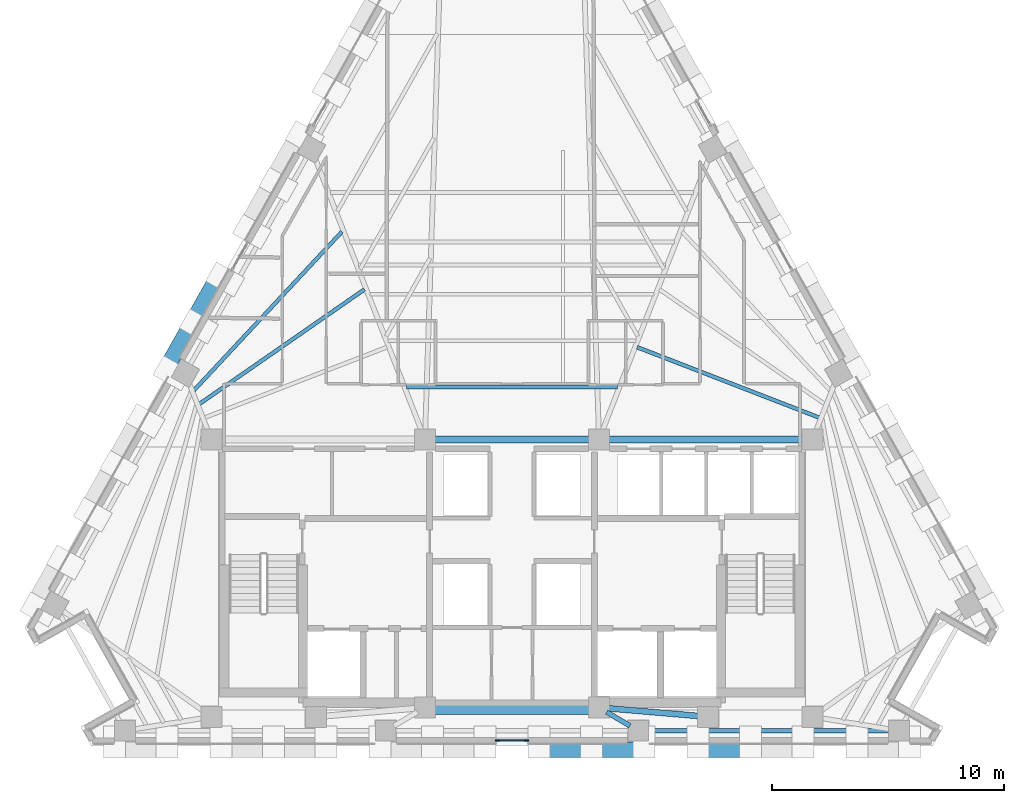
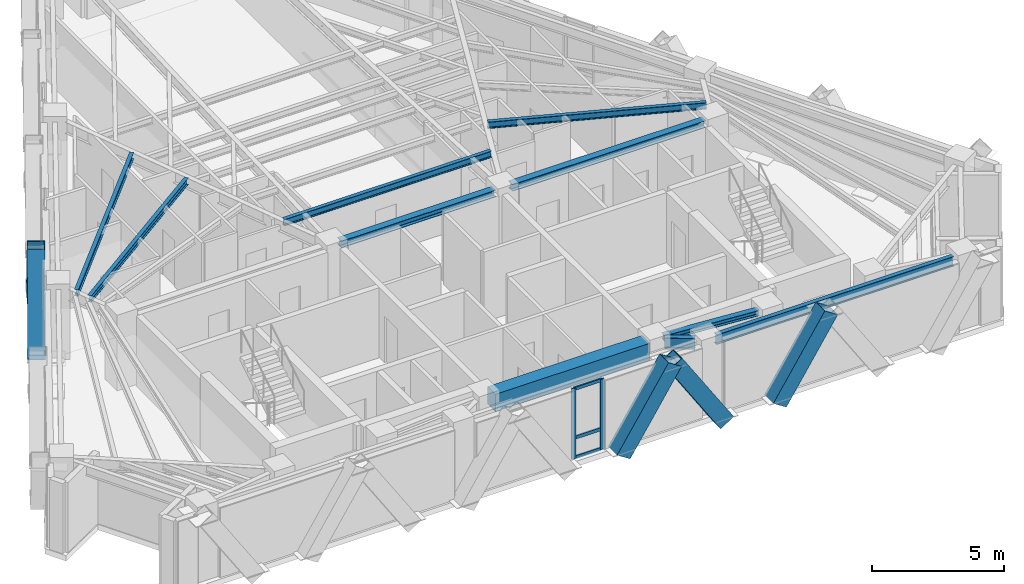
# One storey, part 2 of 12: 10 beams, 10 members, 1 element without a shape of its own.
"""IFC4 building model written with IfcOpenShell, lengths in metres."""

import ifcopenshell
import ifcopenshell.guid

model = None  # the IFC model being written
_history = None  # IfcOwnerHistory: only IFC2X3 demands one
_inside = {}  # id of a spatial element -> (the spatial element, [elements in it])
_under = {}  # id of a project, library or spatial element -> (it, [spatial elements below it])
_declared = {}  # id of a project -> (the project, [libraries it declares])
_typed = {}  # id of a type object -> (the type object, [elements of that type])
_made_of = {}  # id of a material, layer set ... -> (it, [elements and type objects made of it])


def new_model(schema):
    """Start an empty IFC model of exactly this schema.

    Asked for "IFC4X3", IfcOpenShell would pick the latest addendum, in which some entities
    have other attributes; the version numbers below select the first issue.
    IFC2X3 requires an IfcOwnerHistory on every rooted entity: one is made here for all.
    """
    global model, _history
    if schema == "IFC4X3":
        model = ifcopenshell.file(schema_version=(4, 3, 0, 0))
    else:
        model = ifcopenshell.file(schema=schema)
    _inside.clear()
    _under.clear()
    _declared.clear()
    _typed.clear()
    _made_of.clear()
    _history = None
    if model.schema == "IFC2X3":
        org = make("IfcOrganization", Name="unknown")
        user = make(
            "IfcPersonAndOrganization",
            ThePerson=make("IfcPerson", FamilyName="unknown"),
            TheOrganization=org,
        )
        app = make(
            "IfcApplication",
            ApplicationDeveloper=org,
            Version="unknown",
            ApplicationFullName="unknown",
            ApplicationIdentifier="unknown",
        )
        _history = make(
            "IfcOwnerHistory",
            OwningUser=user,
            OwningApplication=app,
            ChangeAction="ADDED",
            CreationDate=0,
        )
    return model


def make(cls, **values):
    """One entity of the class cls with the attributes given. An attribute that is None is left unset."""
    return model.create_entity(
        cls, **{name: value for name, value in values.items() if value is not None}
    )


def rooted(cls, **values):
    """An entity with a GlobalId (a new one), such as an element, a storey or a relation."""
    return make(cls, GlobalId=ifcopenshell.guid.new(), OwnerHistory=_history, **values)


def si_unit(unit_type, name, prefix=None):
    """IfcSIUnit, for example si_unit("LENGTHUNIT", "METRE", prefix="MILLI")."""
    return make("IfcSIUnit", UnitType=unit_type, Prefix=prefix, Name=name)


def assignment(units):
    """IfcUnitAssignment: the units of a project."""
    return None if units is None else make("IfcUnitAssignment", Units=units)


def point(xyz):
    """IfcCartesianPoint."""
    return None if xyz is None else make("IfcCartesianPoint", Coordinates=xyz)


def direction(xyz):
    """IfcDirection."""
    return None if xyz is None else make("IfcDirection", DirectionRatios=xyz)


def frame(location, z_axis=None, x_axis=None):
    """IfcAxis2Placement3D, a coordinate frame: its origin and axes. An axis left out is left unset."""
    return make(
        "IfcAxis2Placement3D",
        Location=point(location),
        Axis=direction(z_axis),
        RefDirection=direction(x_axis),
    )


def frame_2d(location, x_axis=None):
    """IfcAxis2Placement2D, a coordinate frame in the plane: its origin and x axis."""
    return make(
        "IfcAxis2Placement2D", Location=point(location), RefDirection=direction(x_axis)
    )


def origin():
    """The frame at (0, 0, 0) with its axes left unset."""
    return frame((0.0, 0.0, 0.0))


def origin_2d():
    """The frame at (0, 0) in the plane with its x axis left unset."""
    return frame_2d((0.0, 0.0))


def place(relative_to, where):
    """IfcLocalPlacement: puts the frame where relative to a parent placement (None: the world)."""
    return make(
        "IfcLocalPlacement", PlacementRelTo=relative_to, RelativePlacement=where
    )


def context(
    kind, dimensions, precision=None, world=None, true_north=None, identifier=None
):
    """IfcGeometricRepresentationContext, for example the 3D "Model" context."""
    return make(
        "IfcGeometricRepresentationContext",
        ContextIdentifier=identifier,
        ContextType=kind,
        CoordinateSpaceDimension=dimensions,
        Precision=precision,
        WorldCoordinateSystem=world,
        TrueNorth=true_north,
    )


def subcontext(parent, identifier, kind, view, scale=None):
    """IfcGeometricRepresentationSubContext, for example "Body" below "Model"."""
    return make(
        "IfcGeometricRepresentationSubContext",
        ContextIdentifier=identifier,
        ContextType=kind,
        ParentContext=parent,
        TargetScale=scale,
        TargetView=view,
    )


def project(units=None, contexts=None):
    """IfcProject with its units and contexts."""
    return rooted(
        "IfcProject",
        Name="project",
        RepresentationContexts=contexts,
        UnitsInContext=assignment(units),
    )


def spatial(cls, under=None, at=None, **own):
    """A site, building, storey or space (cls), placed at a placement, below another one or the project."""
    s = rooted(cls, ObjectPlacement=at, **own)
    if under is not None:
        _under.setdefault(under.id(), (under, []))[1].append(s)
    return s


def profile(cls, at=None, kind="AREA", **sizes):
    """A parametric profile (cls). Its sizes go by their IFC names, for example OverallWidth=200.0."""
    return make(cls, ProfileType=kind, Position=at, **sizes)


def rectangle(**sizes):
    """IfcRectangleProfileDef."""
    return profile("IfcRectangleProfileDef", **sizes)


def hollow_rectangle(**sizes):
    """IfcRectangleHollowProfileDef."""
    return profile("IfcRectangleHollowProfileDef", **sizes)


def i_section(**sizes):
    """IfcIShapeProfileDef."""
    return profile("IfcIShapeProfileDef", **sizes)


def extrude(swept, where, along, depth):
    """IfcExtrudedAreaSolid: the profile swept, set in the frame where, extruded along a direction by depth."""
    return make(
        "IfcExtrudedAreaSolid",
        SweptArea=swept,
        Position=where,
        ExtrudedDirection=direction(along),
        Depth=depth,
    )


def shape(context_of_items, identifier, shape_type, items):
    """IfcShapeRepresentation: the items that make up one representation, for example the "Body"."""
    return make(
        "IfcShapeRepresentation",
        ContextOfItems=context_of_items,
        RepresentationIdentifier=identifier,
        RepresentationType=shape_type,
        Items=items,
    )


def material(Name=None, Category=None):
    """IfcMaterial."""
    return make("IfcMaterial", Name=Name, Category=Category)


def material_profile(
    of_material, cross_section, Name=None, Category=None, Priority=None
):
    """IfcMaterialProfile: a cross section and its material."""
    return make(
        "IfcMaterialProfile",
        Name=Name,
        Material=of_material,
        Profile=cross_section,
        Priority=Priority,
        Category=Category,
    )


def profile_set(profiles, Name=None, composite=None):
    """IfcMaterialProfileSet."""
    return make(
        "IfcMaterialProfileSet",
        Name=Name,
        MaterialProfiles=profiles,
        CompositeProfile=composite,
    )


def made_of(thing, what):
    """Note that an element or type object is made of a material, layer set ...; save() writes the relation."""
    if what is not None:
        _made_of.setdefault(what.id(), (what, []))[1].append(thing)
    return thing


def type_object(cls, material=None, **own):
    """A type object (cls), such as IfcWallType, which elements share."""
    return made_of(rooted(cls, **own), material)


def element(
    cls,
    number,
    at=None,
    inside=None,
    cuts=None,
    type_object=None,
    material=None,
    context=None,
    identifier="Body",
    shape_type=None,
    held_by="IfcProductDefinitionShape",
    body=None,
    shapes=None,
    **own,
):
    """One element of the class cls, such as IfcWall. Its Tag is "e" and its number.

    at: its placement. inside: the storey or other place that contains it. cuts: it is an
    opening in that element (IfcRelVoidsElement). A single representation is given by context,
    identifier, shape_type and body (its items); several are given by shapes. held_by: the class
    of the entity that holds the representations. save() writes the other relations.
    """
    e = rooted(cls, Tag="e%d" % number, ObjectPlacement=at, **own)
    if body is not None:
        shapes = [shape(context, identifier, shape_type, body)]
    if shapes is not None:
        e.Representation = make(held_by, Representations=shapes)
    if inside is not None:
        _inside.setdefault(inside.id(), (inside, []))[1].append(e)
    if cuts is not None:
        rooted(
            "IfcRelVoidsElement", RelatingBuildingElement=cuts, RelatedOpeningElement=e
        )
    if type_object is not None:
        _typed.setdefault(type_object.id(), (type_object, []))[1].append(e)
    return made_of(e, material)


def aggregate(whole, parts):
    """IfcRelAggregates: a whole, such as a stair, and the parts it consists of."""
    return rooted("IfcRelAggregates", RelatingObject=whole, RelatedObjects=parts)


def save(model, path):
    """Write the relations noted so far, then the file.

    IfcRelAggregates (storeys below a building ...), IfcRelContainedInSpatialStructure (elements
    in a storey), IfcRelDefinesByType, IfcRelAssociatesMaterial and IfcRelDeclares: one each for
    every whole, place, type object, material and project.
    """
    for whole, parts in _under.values():
        aggregate(whole, parts)
    for where, things in _inside.values():
        rooted(
            "IfcRelContainedInSpatialStructure",
            RelatedElements=things,
            RelatingStructure=where,
        )
    for kind, things in _typed.values():
        rooted("IfcRelDefinesByType", RelatedObjects=things, RelatingType=kind)
    for what, things in _made_of.values():
        rooted("IfcRelAssociatesMaterial", RelatedObjects=things, RelatingMaterial=what)
    for by, libraries in _declared.values():
        rooted("IfcRelDeclares", RelatingContext=by, RelatedDefinitions=libraries)
    model.write(path)


model = new_model("IFC4")

# Units and contexts
model_context = context("Model", 3, precision=1e-05, world=origin(), true_north=direction((0.0, 1.0)))
body_context = subcontext(model_context, "Body", "Model", "MODEL_VIEW")
ifc_project = project(units=[si_unit("LENGTHUNIT", "METRE"), si_unit("AREAUNIT", "SQUARE_METRE"), si_unit("VOLUMEUNIT", "CUBIC_METRE"), si_unit("PLANEANGLEUNIT", "RADIAN"), si_unit("MASSUNIT", "GRAM", prefix="KILO")], contexts=[model_context])

# Site, building, storey
site_placement = place(None, origin())
site = spatial("IfcSite", under=ifc_project, at=site_placement, CompositionType="ELEMENT")
building_placement = place(site_placement, origin())
building = spatial("IfcBuilding", under=site, at=building_placement, Name="Quenlor Broadcast Tower", CompositionType="ELEMENT")
storey_placement = place(building_placement, frame((0.0, 0.0, 186.89990234375)))
storey = spatial("IfcBuildingStorey", under=building, at=storey_placement, Name="L51", CompositionType="ELEMENT", Elevation=186.89990234375)

# Curtain wall, members
ifc_material_1 = material(Name="Architectural Terracotta and Low-E Glazing", Category="masonry")
curtain_wall_type = type_object("IfcCurtainWallType", Name="Unitised Terracotta Curtain Wall System Z4", PredefinedType="NOTDEFINED", material=ifc_material_1)
curtain_wall_placement = place(storey_placement, origin())
curtain_wall = element("IfcCurtainWall", 1, at=curtain_wall_placement, inside=storey, type_object=curtain_wall_type, Name="L51 Curtain Wall CW4 (L51-S-G1)", PredefinedType="NOTDEFINED")
ifc_material_2 = material(Name="Aluminium 6063-T6", Category="aluminium")
ifc_material_profile_1 = material_profile(ifc_material_2, rectangle(XDim=0.068115234375, YDim=0.179931640625, at=origin_2d()))
ifc_profile_set_1 = profile_set([ifc_material_profile_1], Name="Aluminium 6063-T6 MULL68x180")
member_type_1 = type_object("IfcMemberType", Name="CW4 Aluminium Mullion MULL_CW4", PredefinedType="MULLION", material=ifc_profile_set_1)
member_1_placement = place(storey_placement, frame((0.62841796875, -17.77490234375, 0.0), z_axis=(0.0, 0.0, 1.0), x_axis=(0.0, -1.0, 0.0)))
member_1 = element("IfcMember", 2, at=member_1_placement, type_object=member_type_1, Name="CW4 mullion 1", PredefinedType="MULLION", context=body_context, shape_type="SweptSolid", body=[
    extrude(rectangle(XDim=0.068115234375, YDim=0.179931640625, at=origin_2d()), origin(), (0.0, 0.0, 1.0), 3.25),
])
member_2_placement = place(storey_placement, frame((-0.62841796875, -17.77490234375, 0.0), z_axis=(0.0, 0.0, 1.0), x_axis=(0.0, -1.0, 0.0)))
member_2 = element("IfcMember", 3, at=member_2_placement, type_object=member_type_1, Name="CW4 mullion 2", PredefinedType="MULLION", context=body_context, shape_type="SweptSolid", body=[
    extrude(rectangle(XDim=0.068115234375, YDim=0.179931640625, at=origin_2d()), origin(), (0.0, 0.0, 1.0), 3.25),
])
ifc_material_3 = material(Name="Aluminium 6063-T6", Category="aluminium")
ifc_material_profile_2 = material_profile(ifc_material_3, rectangle(XDim=0.068115234375, YDim=0.14990234375, at=origin_2d()))
ifc_profile_set_2 = profile_set([ifc_material_profile_2], Name="Aluminium 6063-T6 TRAN68x150")
member_type_2 = type_object("IfcMemberType", Name="CW4 Aluminium Transom TRAN_CW4", PredefinedType="USERDEFINED", material=ifc_profile_set_2)
member_3_placement = place(storey_placement, frame((0.59423828125, -17.77490234375, 0.0341796875), z_axis=(-1.0, 0.0, 0.0), x_axis=(0.0, -1.0, 0.0)))
member_3 = element("IfcMember", 4, at=member_3_placement, type_object=member_type_2, Name="CW4 transom 1.1", ObjectType="TRANSOM", PredefinedType="USERDEFINED", context=body_context, shape_type="SweptSolid", body=[
    extrude(rectangle(XDim=0.068115234375, YDim=0.14990234375, at=origin_2d()), origin(), (0.0, 0.0, 1.0), 1.1884765625),
])
member_4_placement = place(storey_placement, frame((0.59423828125, -17.77490234375, 0.9501953125), z_axis=(-1.0, 0.0, 0.0), x_axis=(0.0, -1.0, 0.0)))
member_4 = element("IfcMember", 5, at=member_4_placement, type_object=member_type_2, Name="CW4 transom 1.2", ObjectType="TRANSOM", PredefinedType="USERDEFINED", context=body_context, shape_type="SweptSolid", body=[
    extrude(rectangle(XDim=0.068115234375, YDim=0.14990234375, at=origin_2d()), origin(), (0.0, 0.0, 1.0), 1.1884765625),
])
member_5_placement = place(storey_placement, frame((0.59423828125, -17.77490234375, 3.216064453125), z_axis=(-1.0, 0.0, 0.0), x_axis=(0.0, -1.0, 0.0)))
member_5 = element("IfcMember", 6, at=member_5_placement, type_object=member_type_2, Name="CW4 transom 1.3", ObjectType="TRANSOM", PredefinedType="USERDEFINED", context=body_context, shape_type="SweptSolid", body=[
    extrude(rectangle(XDim=0.068115234375, YDim=0.14990234375, at=origin_2d()), origin(), (0.0, 0.0, 1.0), 1.1884765625),
])
aggregate(curtain_wall, [member_1, member_2, member_3, member_4, member_5])

# Beams
ifc_material_4 = material(Name="Concrete C50/60", Category="concrete")
ifc_material_profile_3 = material_profile(ifc_material_4, rectangle(XDim=0.60009765625, YDim=0.800048828125, at=origin_2d()))
ifc_profile_set_3 = profile_set([ifc_material_profile_3], Name="Concrete C50/60 RCB600x800")
beam_type_1 = type_object("IfcBeamType", Name="Core Coupling Beam Concrete C50/60 600x800", PredefinedType="BEAM", material=ifc_profile_set_3)
beam_1_placement = place(storey_placement, frame((-3.389892578125, -16.35009765625, 2.85009765625), z_axis=(1.0, 0.0, 0.0), x_axis=(0.0, 1.0, 0.0)))
element("IfcBeam", 7, at=beam_1_placement, inside=storey, type_object=beam_type_1, Name="L51 Core Coupling Beam 6", PredefinedType="BEAM", context=body_context, shape_type="SweptSolid", body=[
    extrude(rectangle(XDim=0.60009765625, YDim=0.800048828125, at=origin_2d()), origin(), (0.0, 0.0, 1.0), 6.77978515625),
])
ifc_material_5 = material(Name="Steel S355", Category="steel")
ifc_material_profile_4 = material_profile(ifc_material_5, i_section(OverallWidth=0.304931640625, OverallDepth=0.30810546875, WebThickness=0.010009765625, FlangeThickness=0.015380859375, FilletRadius=0.0166015625, at=origin_2d()))
ifc_profile_set_4 = profile_set([ifc_material_profile_4], Name="Steel S355 310UC96.8")
beam_type_2 = type_object("IfcBeamType", Name="Core Header Beam Steel S355 310UC96.8", PredefinedType="BEAM", material=ifc_profile_set_4)
beam_2_placement = place(storey_placement, frame((-3.389892578125, -4.800048828125, 3.09619140625), z_axis=(1.0, 0.0, 0.0), x_axis=(0.0, 1.0, 0.0)))
element("IfcBeam", 8, at=beam_2_placement, inside=storey, type_object=beam_type_2, Name="L51 Core Header Beam 2", PredefinedType="BEAM", context=body_context, shape_type="SweptSolid", body=[
    extrude(i_section(OverallWidth=0.304931640625, OverallDepth=0.30810546875, WebThickness=0.010009765625, FlangeThickness=0.015380859375, FilletRadius=0.0166015625, at=origin_2d()), origin(), (0.0, 0.0, 1.0), 6.77978515625),
])
ifc_material_6 = material(Name="Steel S355", Category="steel")
ifc_material_profile_5 = material_profile(ifc_material_6, i_section(OverallWidth=0.25390625, OverallDepth=0.25390625, WebThickness=0.008544921875, FlangeThickness=0.01416015625, FilletRadius=0.013916015625, at=origin_2d()))
ifc_profile_set_5 = profile_set([ifc_material_profile_5], Name="Steel S355 250UC72.9")
beam_type_3 = type_object("IfcBeamType", Name="Core Opening Lintel Beam Steel S355 250UC72.9", PredefinedType="LINTEL", material=ifc_profile_set_5)
beam_3_placement = place(storey_placement, frame((4.108642578125, -16.380615234375, 3.123291015625), z_axis=(0.996399763903, -0.084779186679, 0.0), x_axis=(0.084779186679, 0.996399763903, 0.0)))
element("IfcBeam", 9, at=beam_3_placement, inside=storey, type_object=beam_type_3, Name="L51 Core Opening Lintel Beam 5", PredefinedType="LINTEL", context=body_context, shape_type="SweptSolid", body=[
    extrude(i_section(OverallWidth=0.25390625, OverallDepth=0.25390625, WebThickness=0.008544921875, FlangeThickness=0.01416015625, FilletRadius=0.013916015625, at=origin_2d()), origin(), (0.0, 0.0, 1.0), 3.9970703125),
])
ifc_material_7 = material(Name="Steel S355", Category="steel")
ifc_material_profile_6 = material_profile(ifc_material_7, i_section(OverallWidth=0.306884765625, OverallDepth=0.314697265625, WebThickness=0.011962890625, FlangeThickness=0.018798828125, FilletRadius=0.0166015625, at=origin_2d()))
ifc_profile_set_6 = profile_set([ifc_material_profile_6], Name="Steel S355 310UC118")
beam_type_4 = type_object("IfcBeamType", Name="Core Tie Beam Steel S355 310UC118", PredefinedType="BEAM", material=ifc_profile_set_6)
beam_4_placement = place(storey_placement, frame((4.110107421875, -4.800048828125, 3.0927734375), z_axis=(1.0, 0.0, 0.0), x_axis=(0.0, 1.0, 0.0)))
element("IfcBeam", 10, at=beam_4_placement, inside=storey, type_object=beam_type_4, Name="L51 Core Tie Beam 3", PredefinedType="BEAM", context=body_context, shape_type="SweptSolid", body=[
    extrude(i_section(OverallWidth=0.306884765625, OverallDepth=0.314697265625, WebThickness=0.011962890625, FlangeThickness=0.018798828125, FilletRadius=0.0166015625, at=origin_2d()), origin(), (0.0, 0.0, 1.0), 8.47998046875),
])

# Members
ifc_material_8 = material(Name="Steel S355", Category="steel")
ifc_material_profile_7 = material_profile(ifc_material_8, hollow_rectangle(XDim=0.679931640625, YDim=0.679931640625, WallThickness=0.02490234375, at=origin_2d()))
ifc_profile_set_7 = profile_set([ifc_material_profile_7], Name="Steel S355 RHS680x680x25")
member_type_3 = type_object("IfcMemberType", Name="Perimeter Diagonal Lattice Brace Z3-Z4 Steel S355 RHS680x25", PredefinedType="BRACE", material=ifc_profile_set_7)
for number, where, z_axis, x_axis, name in (
    (11, (5.695068359375, -18.169921875, -0.119873046875), (-0.541794306908, 0.0, 0.840511111766), (0.0, -1.0, 0.0), "L51 Perimeter Diamond Lattice S-C2S"),
    (12, (8.005859375, -18.169921875, -0.119873046875), (0.541794306908, 0.0, 0.840511111766), (0.0, 1.0, 0.0), "L51 Perimeter Diamond Lattice S-C2B"),
    (13, (1.155517578125, -18.169921875, -0.119873046875), (0.541794306908, 0.0, 0.840511111766), (0.0, 1.0, 0.0), "L51 Perimeter Diamond Lattice S-C3B"),
):
    element("IfcMember", number, at=place(storey_placement, frame(where, z_axis=z_axis, x_axis=x_axis)), inside=storey, type_object=member_type_3, Name=name, PredefinedType="BRACE", context=body_context, shape_type="SweptSolid", body=[
        extrude(hollow_rectangle(XDim=0.679931640625, YDim=0.679931640625, WallThickness=0.02490234375, at=origin_2d()), origin(), (0.0, 0.0, 1.0), 4.1640625),
    ])
for number, where, z_axis, x_axis, name in (
    (14, (-14.923828125, -1.78466796875, -0.119873046875), (0.269485495908, 0.479188912076, 0.835317636614), (-0.871620820774, 0.490180726664, 0.0), "L51 Perimeter Diamond Lattice NW-C2S"),
    (15, (-12.651611328125, 2.255126953125, -0.119873046875), (-0.269547055694, -0.479136497832, 0.835327840559), (0.871550060774, -0.49030652817, 0.0), "L51 Perimeter Diamond Lattice NW-C3B"),
):
    element("IfcMember", number, at=place(storey_placement, frame(where, z_axis=z_axis, x_axis=x_axis)), inside=storey, type_object=member_type_3, Name=name, PredefinedType="BRACE", context=body_context, shape_type="SweptSolid", body=[
        extrude(hollow_rectangle(XDim=0.679931640625, YDim=0.679931640625, WallThickness=0.02490234375, at=origin_2d()), origin(), (0.0, 0.0, 1.0), 4.18994140625),
    ])

# Beams
ifc_material_9 = material(Name="Steel S355", Category="steel")
ifc_material_profile_8 = material_profile(ifc_material_9, i_section(OverallWidth=0.18994140625, OverallDepth=0.453857421875, WebThickness=0.008544921875, FlangeThickness=0.0126953125, FilletRadius=0.011474609375, at=origin_2d()))
ifc_profile_set_8 = profile_set([ifc_material_profile_8], Name="Steel S355 460UB67.1")
beam_type_5 = type_object("IfcBeamType", Name="Perimeter Spandrel Beam Z4 Steel S355 460UB67.1", PredefinedType="SPANDREL", material=ifc_profile_set_8)
beam_5_placement = place(storey_placement, frame((5.847900390625, -17.35009765625, 3.023193359375), z_axis=(1.0, 0.0, 0.0), x_axis=(0.0, 1.0, 0.0)))
element("IfcBeam", 16, at=beam_5_placement, inside=storey, type_object=beam_type_5, Name="L51 Spandrel Beam S3-S4", PredefinedType="SPANDREL", context=body_context, shape_type="SweptSolid", body=[
    extrude(i_section(OverallWidth=0.18994140625, OverallDepth=0.453857421875, WebThickness=0.008544921875, FlangeThickness=0.0126953125, FilletRadius=0.011474609375, at=origin_2d()), origin(), (0.0, 0.0, 1.0), 10.41796875),
])
ifc_material_10 = material(Name="Steel S355", Category="steel")
ifc_material_profile_9 = material_profile(ifc_material_10, i_section(OverallWidth=0.166015625, OverallDepth=0.30712890625, WebThickness=0.006591796875, FlangeThickness=0.01171875, FilletRadius=0.011474609375, at=origin_2d()))
ifc_profile_set_9 = profile_set([ifc_material_profile_9], Name="Steel S355 310UB46.2")
beam_type_6 = type_object("IfcBeamType", Name="Tower Composite Joist Z4-Z5 Steel S355 310UB46.2", PredefinedType="JOIST", material=ifc_profile_set_9)
beam_6_placement = place(storey_placement, frame((-4.550048828125, -2.54736328125, 3.096435546875), z_axis=(1.0, 0.0, 0.0), x_axis=(0.0, 1.0, 0.0)))
element("IfcBeam", 17, at=beam_6_placement, inside=storey, type_object=beam_type_6, Name="L51 Secondary Composite Joist 1", PredefinedType="JOIST", context=body_context, shape_type="SweptSolid", body=[
    extrude(i_section(OverallWidth=0.166015625, OverallDepth=0.30712890625, WebThickness=0.006591796875, FlangeThickness=0.01171875, FilletRadius=0.011474609375, at=origin_2d()), origin(), (0.0, 0.0, 1.0), 9.10009765625),
])
beam_7_placement = place(storey_placement, frame((-13.470458984375, -3.273681640625, 3.096435546875), z_axis=(0.821539857981, 0.570151086773, 0.0), x_axis=(-0.570151086773, 0.821539857981, 0.0)))
element("IfcBeam", 18, at=beam_7_placement, inside=storey, type_object=beam_type_6, Name="L51 Secondary Composite Joist 8", PredefinedType="JOIST", context=body_context, shape_type="SweptSolid", body=[
    extrude(i_section(OverallWidth=0.166015625, OverallDepth=0.30712890625, WebThickness=0.006591796875, FlangeThickness=0.01171875, FilletRadius=0.011474609375, at=origin_2d()), origin(), (0.0, 0.0, 1.0), 8.656982421875),
])
beam_8_placement = place(storey_placement, frame((-13.707275390625, -2.691162109375, 3.096435546875), z_axis=(0.682034672805, 0.731319837754, 0.0), x_axis=(-0.731319837754, 0.682034672805, 0.0)))
element("IfcBeam", 19, at=beam_8_placement, inside=storey, type_object=beam_type_6, Name="L51 Secondary Composite Joist 9", PredefinedType="JOIST", context=body_context, shape_type="SweptSolid", body=[
    extrude(i_section(OverallWidth=0.166015625, OverallDepth=0.30712890625, WebThickness=0.006591796875, FlangeThickness=0.01171875, FilletRadius=0.011474609375, at=origin_2d()), origin(), (0.0, 0.0, 1.0), 9.357421875),
])
beam_9_placement = place(storey_placement, frame((13.236083984375, -3.85986328125, 3.096435546875), z_axis=(-0.932639299023, 0.360810113381, 0.0), x_axis=(-0.360810113381, -0.932639299023, 0.0)))
element("IfcBeam", 20, at=beam_9_placement, inside=storey, type_object=beam_type_6, Name="L51 Secondary Composite Joist 10", PredefinedType="JOIST", context=body_context, shape_type="SweptSolid", body=[
    extrude(i_section(OverallWidth=0.166015625, OverallDepth=0.30712890625, WebThickness=0.006591796875, FlangeThickness=0.01171875, FilletRadius=0.011474609375, at=origin_2d()), origin(), (0.0, 0.0, 1.0), 8.413330078125),
])
ifc_material_11 = material(Name="Steel S355", Category="steel")
ifc_material_profile_10 = material_profile(ifc_material_11, i_section(OverallWidth=0.208984375, OverallDepth=0.5283203125, WebThickness=0.009521484375, FlangeThickness=0.01318359375, FilletRadius=0.013916015625, at=origin_2d()))
ifc_profile_set_10 = profile_set([ifc_material_profile_10], Name="Steel S355 530UB82.0")
beam_type_7 = type_object("IfcBeamType", Name="Tower Primary Floor Beam Z4 Steel S355 530UB82.0", PredefinedType="BEAM", material=ifc_profile_set_10)
beam_10_placement = place(storey_placement, frame((5.085205078125, -17.14111328125, 2.986083984375), z_axis=(-0.86032875258, 0.509739578102, 0.0), x_axis=(-0.509739578102, -0.86032875258, 0.0)))
element("IfcBeam", 21, at=beam_10_placement, inside=storey, type_object=beam_type_7, Name="L51 Primary Radial Beam S3", PredefinedType="BEAM", context=body_context, shape_type="SweptSolid", body=[
    extrude(i_section(OverallWidth=0.208984375, OverallDepth=0.5283203125, WebThickness=0.009521484375, FlangeThickness=0.01318359375, FilletRadius=0.013916015625, at=origin_2d()), origin(), (0.0, 0.0, 1.0), 1.171875),
])

save(model, "model.ifc")
